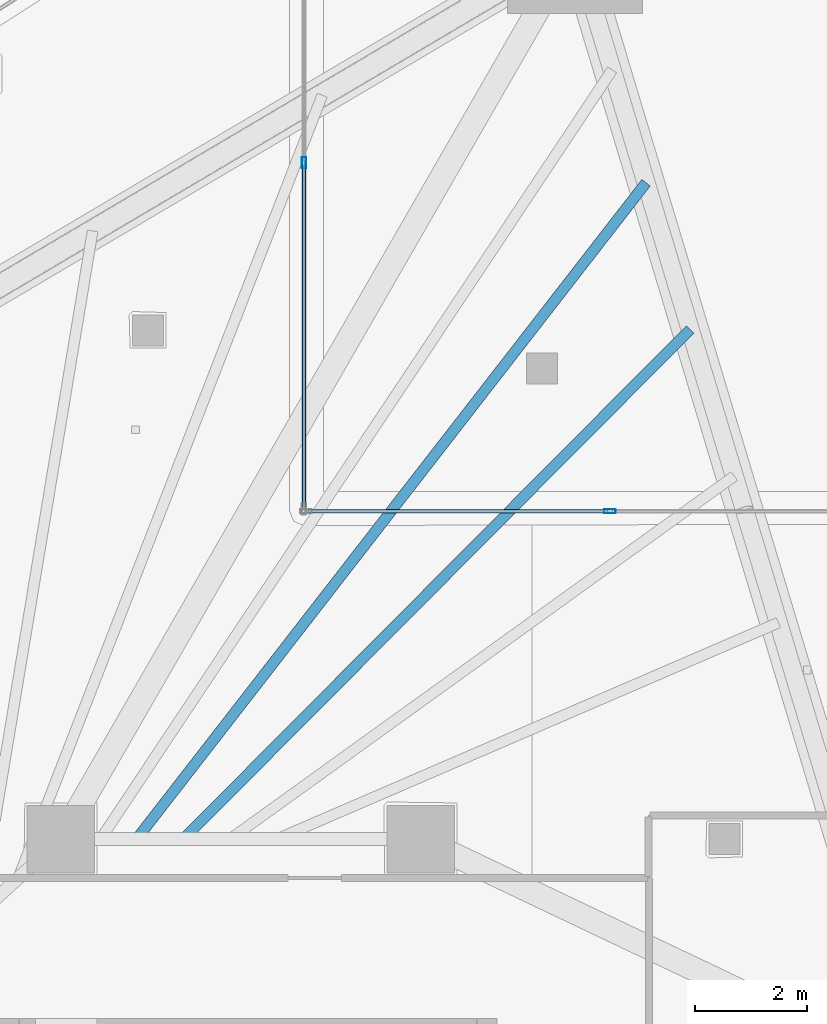
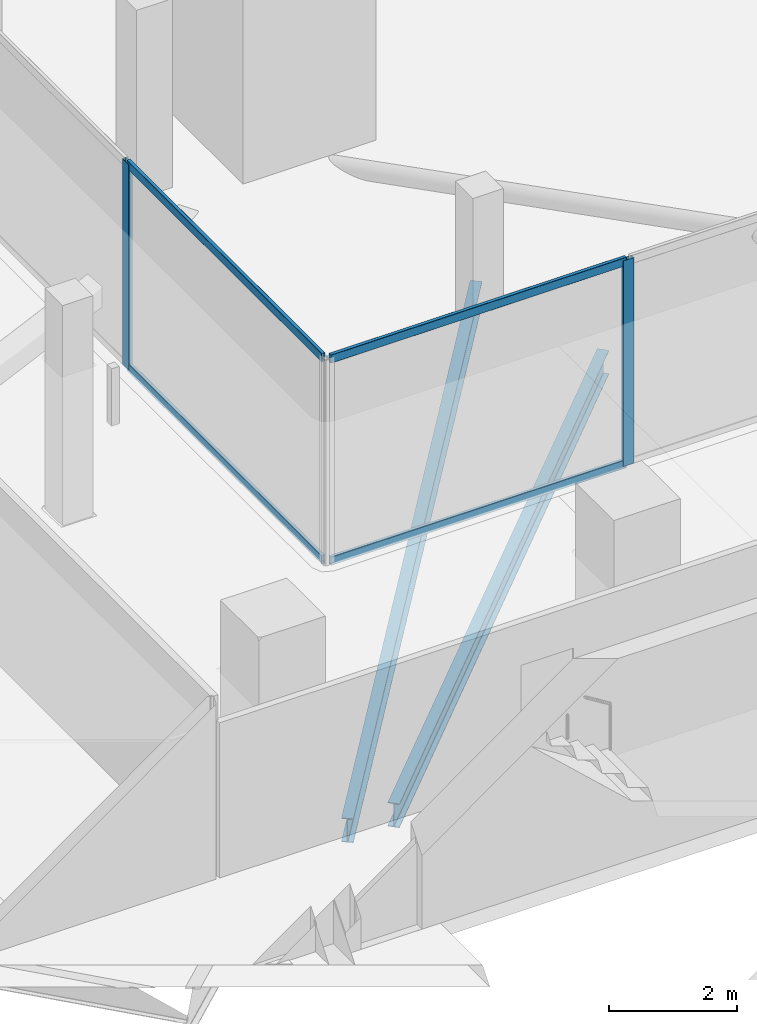
# One storey, part 19 of 47: 6 members, 2 beams, 2 elements without a shape of their own.
"""IFC4 building model written with IfcOpenShell, lengths in metres."""

from ifc_helpers import new_model, si_unit, direction, frame, origin, origin_2d, place, context, subcontext, project, spatial, hollow_rectangle, i_section, extrude, material, layer, layer_set, material_profile, profile_set, type_object, element, aggregate, save


model = new_model("IFC4")

# Units and contexts
model_context = context("Model", 3, precision=1e-05, world=origin(), true_north=direction((0.0, 1.0)))
body_context = subcontext(model_context, "Body", "Model", "MODEL_VIEW")
ifc_project = project(units=[si_unit("LENGTHUNIT", "METRE"), si_unit("AREAUNIT", "SQUARE_METRE"), si_unit("VOLUMEUNIT", "CUBIC_METRE"), si_unit("PLANEANGLEUNIT", "RADIAN"), si_unit("MASSUNIT", "GRAM", prefix="KILO")], contexts=[model_context])

# Site, building, storey
site_placement = place(None, origin())
site = spatial("IfcSite", under=ifc_project, at=site_placement, CompositionType="ELEMENT")
building_placement = place(site_placement, origin())
building = spatial("IfcBuilding", under=site, at=building_placement, Name="Qorvath Tower", CompositionType="ELEMENT")
storey_placement = place(building_placement, frame((0.0, 0.0, 74.39990234375)))
storey = spatial("IfcBuildingStorey", under=building, at=storey_placement, Name="L16", CompositionType="ELEMENT", Elevation=74.39990234375)

# Beams
ifc_material_1 = material(Name="Steel ASTM A992 Grade 50", Category="steel")
ifc_material_profile_1 = material_profile(ifc_material_1, i_section(OverallWidth=0.18994140625, OverallDepth=0.45703125, WebThickness=0.009033203125, FlangeThickness=0.014404296875, FilletRadius=0.011962890625, at=origin_2d()), Name="W18x50")
ifc_profile_set_1 = profile_set([ifc_material_profile_1], Name="Steel ASTM A992 Grade 50")
beam_type = type_object("IfcBeamType", Name="BM-FJ2", PredefinedType="JOIST", material=ifc_profile_set_1)
beam_1_placement = place(storey_placement, frame((-21.424072265625, 11.449951171875, -0.50830078125), z_axis=(0.705107654599, 0.709100271771, 0.0), x_axis=(-0.709100271771, 0.705107654599, 0.0)))
element("IfcBeam", 1, at=beam_1_placement, inside=storey, type_object=beam_type, Name="Composite Floor Joist NE5 L16", PredefinedType="JOIST", context=body_context, shape_type="SweptSolid", body=[
    extrude(i_section(OverallWidth=0.18994140625, OverallDepth=0.45703125, WebThickness=0.009033203125, FlangeThickness=0.014404296875, FilletRadius=0.011962890625, at=origin_2d()), origin(), (0.0, 0.0, 1.0), 12.780029296875),
])
beam_2_placement = place(storey_placement, frame((-22.256103515625, 11.449951171875, -0.50830078125), z_axis=(0.613206963859, 0.789922286984, 0.0), x_axis=(-0.789922286984, 0.613206963859, 0.0)))
element("IfcBeam", 2, at=beam_2_placement, inside=storey, type_object=beam_type, Name="Composite Floor Joist NE6 L16", PredefinedType="JOIST", context=body_context, shape_type="SweptSolid", body=[
    extrude(i_section(OverallWidth=0.18994140625, OverallDepth=0.45703125, WebThickness=0.009033203125, FlangeThickness=0.014404296875, FilletRadius=0.011962890625, at=origin_2d()), origin(), (0.0, 0.0, 1.0), 14.77294921875),
])

# Curtain wall, member
ifc_material_2 = material(Name="Anodised aluminium and triple low-E glass", Category="aluminium")
ifc_layer = layer(ifc_material_2, 0.179931640625)
ifc_layer_set = layer_set([ifc_layer], Name="CW-SYS-5")
curtain_wall_type = type_object("IfcCurtainWallType", Name="CW-SYS-5", PredefinedType="NOTDEFINED", material=ifc_layer_set)
curtain_wall_1_placement = place(storey_placement, origin())
curtain_wall_1 = element("IfcCurtainWall", 3, at=curtain_wall_1_placement, inside=storey, type_object=curtain_wall_type, Name="Curtain Wall CW-5 CW-T-L16-2.1", PredefinedType="NOTDEFINED")
ifc_material_3 = material(Name="Anodised aluminium 6063-T6", Category="aluminium")
ifc_material_profile_2 = material_profile(ifc_material_3, hollow_rectangle(XDim=0.074951171875, YDim=0.199951171875, WallThickness=0.00390625, InnerFilletRadius=0.00390625, OuterFilletRadius=0.008056640625, at=origin_2d()), Name="CWM 200x75")
ifc_profile_set_2 = profile_set([ifc_material_profile_2], Name="Anodised aluminium 6063-T6")
member_type_1 = type_object("IfcMemberType", Name="CWM-200", PredefinedType="MULLION", material=ifc_profile_set_2)
member_1_placement = place(storey_placement, frame((-13.840087890625, 17.280029296875, 0.0), z_axis=(0.0, 0.0, 1.0), x_axis=(0.0, -1.0, 0.0)))
member_1 = element("IfcMember", 4, at=member_1_placement, type_object=member_type_1, Name="CW-5 mullion 3", PredefinedType="MULLION", context=body_context, shape_type="SweptSolid", body=[
    extrude(hollow_rectangle(XDim=0.074951171875, YDim=0.199951171875, WallThickness=0.00390625, InnerFilletRadius=0.00390625, OuterFilletRadius=0.008056640625, at=origin_2d()), origin(), (0.0, 0.0, 1.0), 3.920166015625),
])

curtain_wall_2_placement = place(storey_placement, origin())
curtain_wall_2 = element("IfcCurtainWall", 5, at=curtain_wall_2_placement, inside=storey, type_object=curtain_wall_type, Name="Curtain Wall CW-5 CW-T-L16-3.1", PredefinedType="NOTDEFINED")
member_2_placement = place(storey_placement, frame((-19.280029296875, 23.474853515625, 0.0), z_axis=(0.0, 0.0, 1.0), x_axis=(-1.0, 0.0, 0.0)))
member_2 = element("IfcMember", 6, at=member_2_placement, type_object=member_type_1, Name="CW-5 mullion 2", PredefinedType="MULLION", context=body_context, shape_type="SweptSolid", body=[
    extrude(hollow_rectangle(XDim=0.074951171875, YDim=0.199951171875, WallThickness=0.00390625, InnerFilletRadius=0.00390625, OuterFilletRadius=0.008056640625, at=origin_2d()), origin(), (0.0, 0.0, 1.0), 3.920166015625),
])

# Member
ifc_material_4 = material(Name="Anodised aluminium 6063-T6", Category="aluminium")
ifc_material_profile_3 = material_profile(ifc_material_4, hollow_rectangle(XDim=0.06494140625, YDim=0.159912109375, WallThickness=0.00341796875, InnerFilletRadius=0.00341796875, OuterFilletRadius=0.007080078125, at=origin_2d()), Name="CWT 160x65")
ifc_profile_set_3 = profile_set([ifc_material_profile_3], Name="Anodised aluminium 6063-T6")
member_type_2 = type_object("IfcMemberType", Name="CWT-160", PredefinedType="USERDEFINED", material=ifc_profile_set_3)
member_3_placement = place(storey_placement, frame((-13.87744140625, 17.280029296875, 0.032470703125), z_axis=(-1.0, 0.0, 0.0), x_axis=(0.0, -1.0, 0.0)))
member_3 = element("IfcMember", 7, at=member_3_placement, type_object=member_type_2, Name="CW-5 transom 3.1", ObjectType="TRANSOM", PredefinedType="USERDEFINED", context=body_context, shape_type="SweptSolid", body=[
    extrude(hollow_rectangle(XDim=0.06494140625, YDim=0.159912109375, WallThickness=0.00341796875, InnerFilletRadius=0.00341796875, OuterFilletRadius=0.007080078125, at=origin_2d()), origin(), (0.0, 0.0, 1.0), 5.32763671875),
])

member_4_placement = place(storey_placement, frame((-13.87744140625, 17.280029296875, 3.8876953125), z_axis=(-1.0, 0.0, 0.0), x_axis=(0.0, -1.0, 0.0)))
member_4 = element("IfcMember", 8, at=member_4_placement, type_object=member_type_2, Name="CW-5 transom 3.2", ObjectType="TRANSOM", PredefinedType="USERDEFINED", context=body_context, shape_type="SweptSolid", body=[
    extrude(hollow_rectangle(XDim=0.06494140625, YDim=0.159912109375, WallThickness=0.00341796875, InnerFilletRadius=0.00341796875, OuterFilletRadius=0.007080078125, at=origin_2d()), origin(), (0.0, 0.0, 1.0), 5.32763671875),
])

aggregate(curtain_wall_1, [member_1, member_3, member_4])

member_5_placement = place(storey_placement, frame((-19.280029296875, 17.35498046875, 0.032470703125), z_axis=(0.0, 1.0, 0.0), x_axis=(-1.0, 0.0, 0.0)))
member_5 = element("IfcMember", 9, at=member_5_placement, type_object=member_type_2, Name="CW-5 transom 1.1", ObjectType="TRANSOM", PredefinedType="USERDEFINED", context=body_context, shape_type="SweptSolid", body=[
    extrude(hollow_rectangle(XDim=0.06494140625, YDim=0.159912109375, WallThickness=0.00341796875, InnerFilletRadius=0.00341796875, OuterFilletRadius=0.007080078125, at=origin_2d()), origin(), (0.0, 0.0, 1.0), 6.082275390625),
])

member_6_placement = place(storey_placement, frame((-19.280029296875, 17.35498046875, 3.8876953125), z_axis=(0.0, 1.0, 0.0), x_axis=(-1.0, 0.0, 0.0)))
member_6 = element("IfcMember", 10, at=member_6_placement, type_object=member_type_2, Name="CW-5 transom 1.2", ObjectType="TRANSOM", PredefinedType="USERDEFINED", context=body_context, shape_type="SweptSolid", body=[
    extrude(hollow_rectangle(XDim=0.06494140625, YDim=0.159912109375, WallThickness=0.00341796875, InnerFilletRadius=0.00341796875, OuterFilletRadius=0.007080078125, at=origin_2d()), origin(), (0.0, 0.0, 1.0), 6.082275390625),
])

aggregate(curtain_wall_2, [member_2, member_5, member_6])

save(model, "model.ifc")
